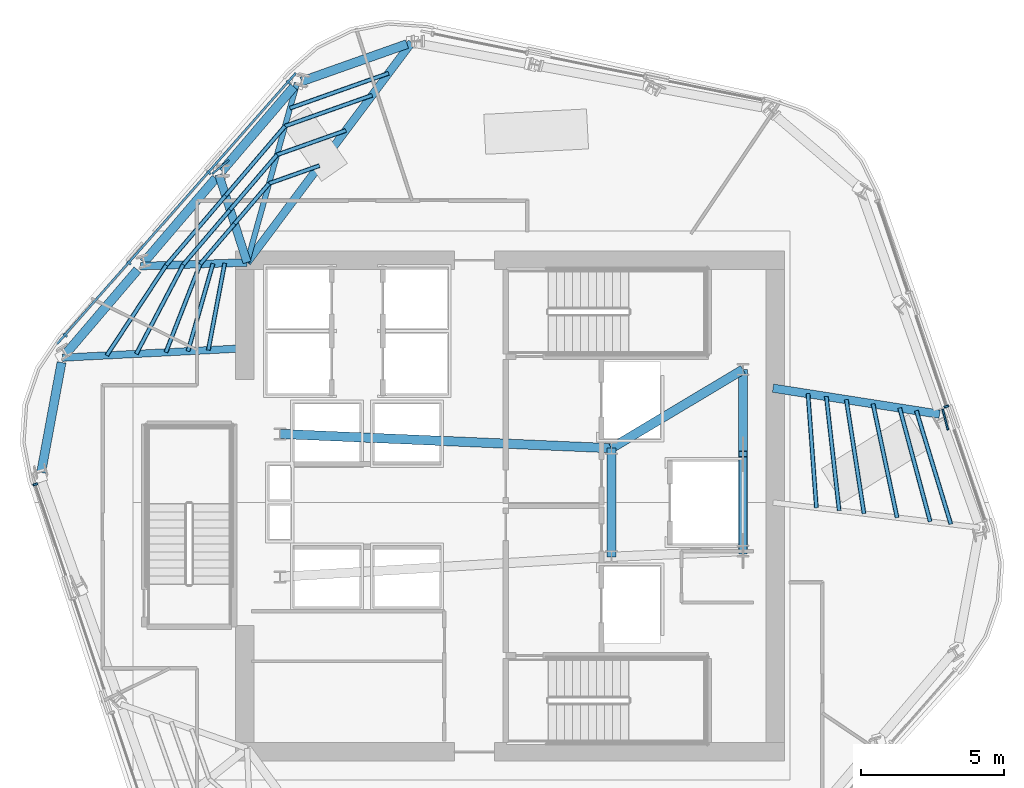
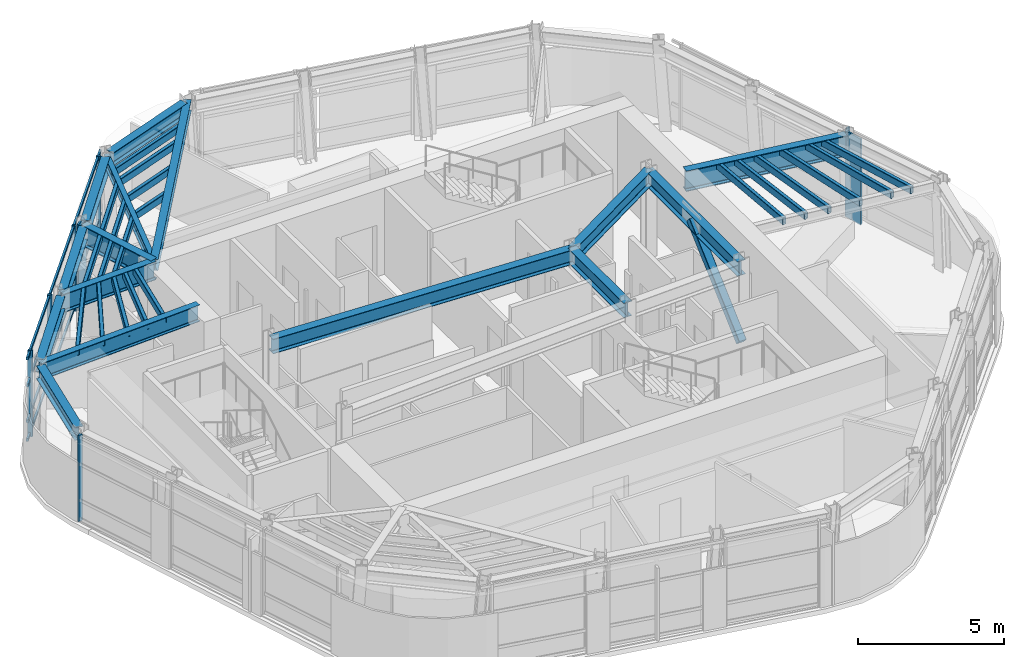
# One storey, part 3 of 12: 34 members, 15 beams, 3 elements without a shape of their own.
"""IFC4 building model written with IfcOpenShell, lengths in metres."""

from ifc_helpers import new_model, si_unit, direction, frame, origin, origin_2d, place, context, subcontext, project, spatial, rectangle, hollow_rectangle, i_section, extrude, material, layer, layer_set, material_profile, profile_set, type_object, element, aggregate, save


model = new_model("IFC4")

# Units and contexts
model_context = context("Model", 3, precision=1e-05, world=origin(), true_north=direction((0.0, 1.0)))
body_context = subcontext(model_context, "Body", "Model", "MODEL_VIEW")
ifc_project = project(units=[si_unit("LENGTHUNIT", "METRE"), si_unit("AREAUNIT", "SQUARE_METRE"), si_unit("VOLUMEUNIT", "CUBIC_METRE"), si_unit("PLANEANGLEUNIT", "RADIAN"), si_unit("MASSUNIT", "GRAM", prefix="KILO")], contexts=[model_context])

# Site, building, storey
site_placement = place(None, origin())
site = spatial("IfcSite", under=ifc_project, at=site_placement, CompositionType="ELEMENT")
building_placement = place(site_placement, origin())
building = spatial("IfcBuilding", under=site, at=building_placement, Name="Valkerne Bourse Tower", CompositionType="ELEMENT")
storey_placement = place(building_placement, frame((0.0, 0.0, 232.199951171875)))
storey = spatial("IfcBuildingStorey", under=building, at=storey_placement, Name="L59", CompositionType="ELEMENT", Elevation=232.199951171875)

# Beams
ifc_material_1 = material(Name="Steel ASTM A992", Category="steel")
ifc_material_profile_1 = material_profile(ifc_material_1, i_section(OverallWidth=0.1904296875, OverallDepth=0.457275390625, WebThickness=0.009033203125, FlangeThickness=0.014404296875, FilletRadius=0.01513671875, at=origin_2d()), Name="W18X50")
ifc_profile_set_1 = profile_set([ifc_material_profile_1], Name="Steel ASTM A992")
beam_type_1 = type_object("IfcBeamType", Name="BM-W18X50", PredefinedType="JOIST", material=ifc_profile_set_1)
beam_1_placement = place(storey_placement, frame((39.345947265625, 41.675048828125, 3.371337890625), z_axis=(-0.26803627856, -0.963408819441, 0.0), x_axis=(0.963408819441, -0.26803627856, 0.0)))
element("IfcBeam", 1, at=beam_1_placement, inside=storey, type_object=beam_type_1, Name="L59 Radial Composite Floor Beam 04", PredefinedType="JOIST", context=body_context, shape_type="SweptSolid", body=[
    extrude(i_section(OverallWidth=0.1904296875, OverallDepth=0.457275390625, WebThickness=0.009033203125, FlangeThickness=0.014404296875, FilletRadius=0.01513671875, at=origin_2d()), origin(), (0.0, 0.0, 1.0), 6.513427734375),
])
ifc_material_profile_2 = material_profile(ifc_material_1, i_section(OverallWidth=0.279296875, OverallDepth=0.46240234375, WebThickness=0.0107421875, FlangeThickness=0.017333984375, FilletRadius=0.017822265625, at=origin_2d()), Name="W18X76")
ifc_profile_set_2 = profile_set([ifc_material_profile_2], Name="Steel ASTM A992")
beam_type_2 = type_object("IfcBeamType", Name="BM-W18X76", PredefinedType="BEAM", material=ifc_profile_set_2)
beam_2_placement = place(storey_placement, frame((43.357421875, 43.095703125, 3.368896484375), z_axis=(-0.599032249543, -0.80072489908, 0.0), x_axis=(0.80072489908, -0.599032249543, 0.0)))
element("IfcBeam", 2, at=beam_2_placement, inside=storey, type_object=beam_type_2, Name="L59 Radial Composite Floor Beam 03", PredefinedType="BEAM", context=body_context, shape_type="SweptSolid", body=[
    extrude(i_section(OverallWidth=0.279296875, OverallDepth=0.46240234375, WebThickness=0.0107421875, FlangeThickness=0.017333984375, FilletRadius=0.017822265625, at=origin_2d()), origin(), (0.0, 0.0, 1.0), 9.611083984375),
])
ifc_material_profile_3 = material_profile(ifc_material_1, i_section(OverallWidth=0.31494140625, OverallDepth=0.5537109375, WebThickness=0.0166015625, FlangeThickness=0.026123046875, FilletRadius=0.020263671875, at=origin_2d()), Name="W21X132")
ifc_profile_set_3 = profile_set([ifc_material_profile_3], Name="Steel ASTM A992")
beam_type_3 = type_object("IfcBeamType", Name="BM-W21X132", PredefinedType="BEAM", material=ifc_profile_set_3)
beam_3_placement = place(storey_placement, frame((43.197265625, 43.038818359375, 3.3232421875), z_axis=(-0.942639896064, -0.333811363419, 0.0), x_axis=(0.333811363419, -0.942639896064, 0.0)))
element("IfcBeam", 3, at=beam_3_placement, inside=storey, type_object=beam_type_3, Name="L59 Hexagonal Spandrel Ring Beam 03", PredefinedType="BEAM", context=body_context, shape_type="SweptSolid", body=[
    extrude(i_section(OverallWidth=0.31494140625, OverallDepth=0.5537109375, WebThickness=0.0166015625, FlangeThickness=0.026123046875, FilletRadius=0.020263671875, at=origin_2d()), origin(), (0.0, 0.0, 1.0), 3.915771484375),
])
beam_4_placement = place(storey_placement, frame((39.235595703125, 41.545654296875, 3.3232421875), z_axis=(-0.649471419242, -0.760386004334, 0.0), x_axis=(0.760386004334, -0.649471419242, 0.0)))
element("IfcBeam", 4, at=beam_4_placement, inside=storey, type_object=beam_type_3, Name="L59 Hexagonal Spandrel Ring Beam 04", PredefinedType="BEAM", context=body_context, shape_type="SweptSolid", body=[
    extrude(i_section(OverallWidth=0.31494140625, OverallDepth=0.5537109375, WebThickness=0.0166015625, FlangeThickness=0.026123046875, FilletRadius=0.020263671875, at=origin_2d()), origin(), (0.0, 0.0, 1.0), 3.871826171875),
])
for number, where, z_axis, x_axis, name in (
    (5, (36.5, 38.343017578125, 3.3232421875), (-0.649440280308, -0.760412600049, 0.0), (0.760412600049, -0.649440280308, 0.0), "L59 Hexagonal Spandrel Ring Beam 05"),
    (6, (33.7646484375, 35.14013671875, 3.3232421875), (-0.649440280308, -0.760412600049, 0.0), (0.760412600049, -0.649440280308, 0.0), "L59 Hexagonal Spandrel Ring Beam 06"),
):
    element("IfcBeam", number, at=place(storey_placement, frame(where, z_axis=z_axis, x_axis=x_axis)), inside=storey, type_object=beam_type_3, Name=name, PredefinedType="BEAM", context=body_context, shape_type="SweptSolid", body=[
        extrude(i_section(OverallWidth=0.31494140625, OverallDepth=0.5537109375, WebThickness=0.0166015625, FlangeThickness=0.026123046875, FilletRadius=0.020263671875, at=origin_2d()), origin(), (0.0, 0.0, 1.0), 3.8720703125),
    ])
beam_5_placement = place(storey_placement, frame((31.108642578125, 31.8994140625, 3.3232421875), z_axis=(-0.182247777863, -0.983252636642, 0.0), x_axis=(0.983252636642, -0.182247777863, 0.0)))
element("IfcBeam", 7, at=beam_5_placement, inside=storey, type_object=beam_type_3, Name="L59 Hexagonal Spandrel Ring Beam 07", PredefinedType="BEAM", context=body_context, shape_type="SweptSolid", body=[
    extrude(i_section(OverallWidth=0.31494140625, OverallDepth=0.5537109375, WebThickness=0.0166015625, FlangeThickness=0.026123046875, FilletRadius=0.020263671875, at=origin_2d()), origin(), (0.0, 0.0, 1.0), 3.915771484375),
])
ifc_material_profile_4 = material_profile(ifc_material_1, i_section(OverallWidth=0.3251953125, OverallDepth=0.612060546875, WebThickness=0.0126953125, FlangeThickness=0.01904296875, FilletRadius=0.020263671875, at=origin_2d()), Name="W24X104")
ifc_profile_set_4 = profile_set([ifc_material_profile_4], Name="Steel ASTM A992")
beam_type_4 = type_object("IfcBeamType", Name="BM-W24X104", PredefinedType="BEAM", material=ifc_profile_set_4)
beam_6_placement = place(storey_placement, frame((50.35009765625, 25.10009765625, 3.2939453125), z_axis=(0.0, 1.0, 0.0), x_axis=(-1.0, 0.0, 0.0)))
element("IfcBeam", 8, at=beam_6_placement, inside=storey, type_object=beam_type_4, Name="L59 Core Frame Girder CG-CE", PredefinedType="BEAM", context=body_context, shape_type="SweptSolid", body=[
    extrude(i_section(OverallWidth=0.3251953125, OverallDepth=0.612060546875, WebThickness=0.0126953125, FlangeThickness=0.01904296875, FilletRadius=0.020263671875, at=origin_2d()), origin(), (0.0, 0.0, 1.0), 3.7998046875),
])
beam_7_placement = place(storey_placement, frame((50.35009765625, 28.89990234375, 3.2939453125), z_axis=(0.858307823492, 0.513135148019, 0.0), x_axis=(-0.513135148019, 0.858307823492, 0.0)))
element("IfcBeam", 9, at=beam_7_placement, inside=storey, type_object=beam_type_4, Name="L59 Core Frame Girder CG-NE", PredefinedType="BEAM", context=body_context, shape_type="SweptSolid", body=[
    extrude(i_section(OverallWidth=0.3251953125, OverallDepth=0.612060546875, WebThickness=0.0126953125, FlangeThickness=0.01904296875, FilletRadius=0.020263671875, at=origin_2d()), origin(), (0.0, 0.0, 1.0), 5.359130859375),
])
beam_8_placement = place(storey_placement, frame((54.949951171875, 25.300048828125, 3.2939453125), z_axis=(0.0, 1.0, 0.0), x_axis=(-1.0, 0.0, 0.0)))
element("IfcBeam", 10, at=beam_8_placement, inside=storey, type_object=beam_type_4, Name="L59 Core Frame Girder CG-EE", PredefinedType="BEAM", context=body_context, shape_type="SweptSolid", body=[
    extrude(i_section(OverallWidth=0.3251953125, OverallDepth=0.612060546875, WebThickness=0.0126953125, FlangeThickness=0.01904296875, FilletRadius=0.020263671875, at=origin_2d()), origin(), (0.0, 0.0, 1.0), 6.349853515625),
])
beam_9_placement = place(storey_placement, frame((38.75, 29.39990234375, 3.2939453125), z_axis=(0.999072354402, -0.043063101019, 0.0), x_axis=(0.043063101019, 0.999072354402, 0.0)))
element("IfcBeam", 11, at=beam_9_placement, inside=storey, type_object=beam_type_4, Name="L59 Core Frame Girder CG-NW", PredefinedType="BEAM", context=body_context, shape_type="SweptSolid", body=[
    extrude(i_section(OverallWidth=0.3251953125, OverallDepth=0.612060546875, WebThickness=0.0126953125, FlangeThickness=0.01904296875, FilletRadius=0.020263671875, at=origin_2d()), origin(), (0.0, 0.0, 1.0), 11.61083984375),
])
ifc_material_profile_5 = material_profile(ifc_material_1, i_section(OverallWidth=0.255859375, OverallDepth=0.693359375, WebThickness=0.014404296875, FlangeThickness=0.023681640625, FilletRadius=0.02294921875, at=origin_2d()), Name="W27X114")
ifc_profile_set_5 = profile_set([ifc_material_profile_5], Name="Steel ASTM A992")
beam_type_5 = type_object("IfcBeamType", Name="BM-W27X114", PredefinedType="BEAM", material=ifc_profile_set_5)
beam_10_placement = place(storey_placement, frame((31.1396484375, 32.066650390625, 3.25341796875), z_axis=(0.998672225455, 0.051514911486, 0.0), x_axis=(-0.051514911486, 0.998672225455, 0.0)))
element("IfcBeam", 12, at=beam_10_placement, inside=storey, type_object=beam_type_5, Name="L59 Radial Composite Floor Beam 07", PredefinedType="BEAM", context=body_context, shape_type="SweptSolid", body=[
    extrude(i_section(OverallWidth=0.255859375, OverallDepth=0.693359375, WebThickness=0.014404296875, FlangeThickness=0.023681640625, FilletRadius=0.02294921875, at=origin_2d()), origin(), (0.0, 0.0, 1.0), 6.468994140625),
])
ifc_material_profile_6 = material_profile(ifc_material_1, i_section(OverallWidth=0.26806640625, OverallDepth=0.76953125, WebThickness=0.015625, FlangeThickness=0.025390625, FilletRadius=0.025390625, at=origin_2d()), Name="W30X132")
ifc_profile_set_6 = profile_set([ifc_material_profile_6], Name="Steel ASTM A992")
beam_type_6 = type_object("IfcBeamType", Name="BM-W30X132", PredefinedType="BEAM", material=ifc_profile_set_6)
beam_11_placement = place(storey_placement, frame((33.875, 35.269287109375, 3.21533203125), z_axis=(0.999385839171, 0.035042038534, 0.0), x_axis=(-0.035042038534, 0.999385839171, 0.0)))
element("IfcBeam", 13, at=beam_11_placement, inside=storey, type_object=beam_type_6, Name="L59 Radial Composite Floor Beam 06", PredefinedType="BEAM", context=body_context, shape_type="SweptSolid", body=[
    extrude(i_section(OverallWidth=0.26806640625, OverallDepth=0.76953125, WebThickness=0.015625, FlangeThickness=0.025390625, FilletRadius=0.025390625, at=origin_2d()), origin(), (0.0, 0.0, 1.0), 3.727294921875),
])
ifc_material_profile_7 = material_profile(ifc_material_1, i_section(OverallWidth=0.2919921875, OverallDepth=0.8583984375, WebThickness=0.01708984375, FlangeThickness=0.031005859375, FilletRadius=0.025390625, at=origin_2d()), Name="W33X169")
ifc_profile_set_7 = profile_set([ifc_material_profile_7], Name="Steel ASTM A992")
beam_type_7 = type_object("IfcBeamType", Name="BM-W33X169", PredefinedType="BEAM", material=ifc_profile_set_7)
beam_12_placement = place(storey_placement, frame((36.610595703125, 38.47216796875, 3.1708984375), z_axis=(0.306567374424, -0.951848961201, 0.0), x_axis=(0.951848961201, 0.306567374424, 0.0)))
element("IfcBeam", 14, at=beam_12_placement, inside=storey, type_object=beam_type_7, Name="L59 Radial Composite Floor Beam 05", PredefinedType="BEAM", context=body_context, shape_type="SweptSolid", body=[
    extrude(i_section(OverallWidth=0.2919921875, OverallDepth=0.8583984375, WebThickness=0.01708984375, FlangeThickness=0.031005859375, FilletRadius=0.025390625, at=origin_2d()), origin(), (0.0, 0.0, 1.0), 3.227783203125),
])
beam_13_placement = place(storey_placement, frame((61.830078125, 30.088134765625, 3.1708984375), z_axis=(-0.987988357865, 0.154528329842, 0.0), x_axis=(-0.154528329842, -0.987988357865, 0.0)))
element("IfcBeam", 15, at=beam_13_placement, inside=storey, type_object=beam_type_7, Name="L59 Radial Composite Floor Beam 21", PredefinedType="BEAM", context=body_context, shape_type="SweptSolid", body=[
    extrude(i_section(OverallWidth=0.2919921875, OverallDepth=0.8583984375, WebThickness=0.01708984375, FlangeThickness=0.031005859375, FilletRadius=0.025390625, at=origin_2d()), origin(), (0.0, 0.0, 1.0), 5.90087890625),
])

# Curtain wall, members
ifc_material_2 = material(Name="Aluminium AA 6063-T6", Category="aluminium")
ifc_layer = layer(ifc_material_2, 0.239990234375)
ifc_layer_set = layer_set([ifc_layer], Name="Aluminium AA 6063-T6")
curtain_wall_type = type_object("IfcCurtainWallType", Name="CW-04", PredefinedType="NOTDEFINED", material=ifc_layer_set)
curtain_wall_1_placement = place(storey_placement, origin())
curtain_wall_1 = element("IfcCurtainWall", 16, at=curtain_wall_1_placement, inside=storey, type_object=curtain_wall_type, Name="L59 Hexagonal Stick Curtain Wall Face 2", PredefinedType="NOTDEFINED")
ifc_material_profile_8 = material_profile(ifc_material_2, rectangle(XDim=0.074951171875, YDim=0.159912109375, at=origin_2d()), Name="CWM-75X160")
ifc_profile_set_8 = profile_set([ifc_material_profile_8], Name="Aluminium AA 6063-T6")
member_type_1 = type_object("IfcMemberType", Name="CW-MUL-160X75", PredefinedType="MULLION", material=ifc_profile_set_8)
member_1_placement = place(storey_placement, frame((39.044677734375, 41.7001953125, 0.0), z_axis=(0.0, 0.0, 1.0), x_axis=(-0.661301987513, -0.750119777976, 0.0)))
member_1 = element("IfcMember", 17, at=member_1_placement, type_object=member_type_1, Name="CW-L59-F2 Jamb Mullion 00A", PredefinedType="MULLION", context=body_context, shape_type="SweptSolid", body=[
    extrude(rectangle(XDim=0.074951171875, YDim=0.159912109375, at=origin_2d()), origin(), (0.0, 0.0, 1.0), 3.60009765625),
])
member_2_placement = place(storey_placement, frame((36.25927734375, 38.54052734375, 0.0), z_axis=(0.0, 0.0, 1.0), x_axis=(-0.6613271234, -0.750097617551, 0.0)))
member_2 = element("IfcMember", 18, at=member_2_placement, type_object=member_type_1, Name="CW-L59-F2 Jamb Mullion 01A", PredefinedType="MULLION", context=body_context, shape_type="SweptSolid", body=[
    extrude(rectangle(XDim=0.074951171875, YDim=0.159912109375, at=origin_2d()), origin(), (0.0, 0.0, 1.0), 3.60009765625),
])
member_3_placement = place(storey_placement, frame((33.4736328125, 35.381103515625, 0.0), z_axis=(0.0, 0.0, 1.0), x_axis=(-0.661301987513, -0.750119777976, 0.0)))
member_3 = element("IfcMember", 19, at=member_3_placement, type_object=member_type_1, Name="CW-L59-F2 Jamb Mullion 02A", PredefinedType="MULLION", context=body_context, shape_type="SweptSolid", body=[
    extrude(rectangle(XDim=0.074951171875, YDim=0.159912109375, at=origin_2d()), origin(), (0.0, 0.0, 1.0), 3.60009765625),
])
member_4_placement = place(storey_placement, frame((31.243896484375, 32.851806640625, 0.0), z_axis=(0.0, 0.0, 1.0), x_axis=(-0.661301987513, -0.750119777976, 0.0)))
member_4 = element("IfcMember", 20, at=member_4_placement, type_object=member_type_1, Name="CW-L59-F2 Jamb Mullion 02B", PredefinedType="MULLION", context=body_context, shape_type="SweptSolid", body=[
    extrude(rectangle(XDim=0.074951171875, YDim=0.159912109375, at=origin_2d()), origin(), (0.0, 0.0, 1.0), 3.60009765625),
])

# Curtain wall, member
curtain_wall_2_placement = place(storey_placement, origin())
curtain_wall_2 = element("IfcCurtainWall", 21, at=curtain_wall_2_placement, inside=storey, type_object=curtain_wall_type, Name="L59 Hexagonal Stick Curtain Wall Face 3", PredefinedType="NOTDEFINED")
member_5_placement = place(storey_placement, frame((30.191650390625, 27.6337890625, 0.0), z_axis=(0.0, 0.0, 1.0), x_axis=(0.318968601555, -0.947765282769, 0.0)))
member_5 = element("IfcMember", 22, at=member_5_placement, type_object=member_type_1, Name="CW-L59-F3 Jamb Mullion 00A", PredefinedType="MULLION", context=body_context, shape_type="SweptSolid", body=[
    extrude(rectangle(XDim=0.074951171875, YDim=0.159912109375, at=origin_2d()), origin(), (0.0, 0.0, 1.0), 3.60009765625),
])
aggregate(curtain_wall_2, [member_5])

curtain_wall_3_placement = place(storey_placement, origin())
curtain_wall_3 = element("IfcCurtainWall", 23, at=curtain_wall_3_placement, inside=storey, type_object=curtain_wall_type, Name="L59 Hexagonal Stick Curtain Wall Face 6", PredefinedType="NOTDEFINED")
member_6_placement = place(storey_placement, frame((62.06494140625, 30.3583984375, 0.0), z_axis=(0.0, 0.0, 1.0), x_axis=(-0.318947275184, 0.947772459851, 0.0)))
member_6 = element("IfcMember", 24, at=member_6_placement, type_object=member_type_1, Name="CW-L59-F6 Jamb Mullion 01A", PredefinedType="MULLION", context=body_context, shape_type="SweptSolid", body=[
    extrude(rectangle(XDim=0.074951171875, YDim=0.159912109375, at=origin_2d()), origin(), (0.0, 0.0, 1.0), 3.60009765625),
])
aggregate(curtain_wall_3, [member_6])

# Member
ifc_material_profile_9 = material_profile(ifc_material_2, rectangle(XDim=0.074951171875, YDim=0.1201171875, at=origin_2d()), Name="CWT-75X120")
ifc_profile_set_9 = profile_set([ifc_material_profile_9], Name="Aluminium AA 6063-T6")
member_type_2 = type_object("IfcMemberType", Name="CW-TRN-120X75", PredefinedType="USERDEFINED", material=ifc_profile_set_9)
member_7_placement = place(storey_placement, frame((39.307373046875, 42.0283203125, 0.1201171875), z_axis=(-0.661311010703, -0.750111823079, 0.0), x_axis=(0.750111823079, -0.661311010703, 0.0)))
member_7 = element("IfcMember", 25, at=member_7_placement, type_object=member_type_2, Name="CW-L59-F2 Continuous Face Transom 1", ObjectType="TRANSOM", PredefinedType="USERDEFINED", context=body_context, shape_type="SweptSolid", body=[
    extrude(rectangle(XDim=0.074951171875, YDim=0.1201171875, at=origin_2d()), origin(), (0.0, 0.0, 1.0), 12.6357421875),
])

member_8_placement = place(storey_placement, frame((39.307373046875, 42.0283203125, 0.900146484375), z_axis=(-0.661311010703, -0.750111823079, 0.0), x_axis=(0.750111823079, -0.661311010703, 0.0)))
member_8 = element("IfcMember", 26, at=member_8_placement, type_object=member_type_2, Name="CW-L59-F2 Continuous Face Transom 2", ObjectType="TRANSOM", PredefinedType="USERDEFINED", context=body_context, shape_type="SweptSolid", body=[
    extrude(rectangle(XDim=0.074951171875, YDim=0.1201171875, at=origin_2d()), origin(), (0.0, 0.0, 1.0), 12.6357421875),
])

member_9_placement = place(storey_placement, frame((39.307373046875, 42.0283203125, 2.400146484375), z_axis=(-0.661311010703, -0.750111823079, 0.0), x_axis=(0.750111823079, -0.661311010703, 0.0)))
member_9 = element("IfcMember", 27, at=member_9_placement, type_object=member_type_2, Name="CW-L59-F2 Continuous Face Transom 3", ObjectType="TRANSOM", PredefinedType="USERDEFINED", context=body_context, shape_type="SweptSolid", body=[
    extrude(rectangle(XDim=0.074951171875, YDim=0.1201171875, at=origin_2d()), origin(), (0.0, 0.0, 1.0), 12.6357421875),
])

member_10_placement = place(storey_placement, frame((39.307373046875, 42.0283203125, 3.52001953125), z_axis=(-0.661311010703, -0.750111823079, 0.0), x_axis=(0.750111823079, -0.661311010703, 0.0)))
member_10 = element("IfcMember", 28, at=member_10_placement, type_object=member_type_2, Name="CW-L59-F2 Continuous Face Transom 4", ObjectType="TRANSOM", PredefinedType="USERDEFINED", context=body_context, shape_type="SweptSolid", body=[
    extrude(rectangle(XDim=0.074951171875, YDim=0.1201171875, at=origin_2d()), origin(), (0.0, 0.0, 1.0), 12.6357421875),
])

aggregate(curtain_wall_1, [member_7, member_8, member_9, member_10, member_1, member_2, member_3, member_4])

# Members
ifc_material_3 = material(Name="Bronze Anodised Aluminium AA 6063-T6", Category="aluminium")
ifc_material_profile_10 = material_profile(ifc_material_3, rectangle(XDim=0.06494140625, YDim=0.75, at=origin_2d()), Name="FIN-65X750")
ifc_profile_set_10 = profile_set([ifc_material_profile_10], Name="Bronze Anodised Aluminium AA 6063-T6")
member_type_3 = type_object("IfcMemberType", Name="FIN-SOLAR-650", PredefinedType="USERDEFINED", material=ifc_profile_set_10)
for number, where, z_axis, x_axis, name in (
    (29, (36.672119140625, 38.736572265625, 0.004150390625), (0.0, 0.0, 1.0), (-0.630249515745, 0.776392650599, 0.0), "L59 Bronze Anodised Solar Fin F2-01"),
    (30, (62.0283203125, 29.90283203125, 0.004150390625), (0.0, 0.0, 1.0), (0.96822242018, 0.250090673678, 0.0), "L59 Bronze Anodised Solar Fin F6-01"),
):
    element("IfcMember", number, at=place(storey_placement, frame(where, z_axis=z_axis, x_axis=x_axis)), inside=storey, type_object=member_type_3, Name=name, ObjectType="SOLAR_FIN", PredefinedType="USERDEFINED", context=body_context, shape_type="SweptSolid", body=[
        extrude(rectangle(XDim=0.06494140625, YDim=0.75, at=origin_2d()), origin(), (0.0, 0.0, 1.0), 3.591796875),
    ])
ifc_material_4 = material(Name="Steel ASTM A500 Grade C", Category="steel")
ifc_material_profile_11 = material_profile(ifc_material_4, hollow_rectangle(XDim=0.14990234375, YDim=0.300048828125, WallThickness=0.012451171875, OuterFilletRadius=0.02490234375, at=origin_2d()), Name="HSS300X150X12.5")
ifc_profile_set_11 = profile_set([ifc_material_profile_11], Name="Steel ASTM A500 Grade C")
member_type_4 = type_object("IfcMemberType", Name="MBR-HSS300X150X12.5", PredefinedType="PURLIN", material=ifc_profile_set_11)
member_11_placement = place(storey_placement, frame((36.407958984375, 35.358154296875, 3.43994140625), z_axis=(-0.274589614815, -0.961561513079, 0.0), x_axis=(0.961561513079, -0.274589614815, 0.0)))
element("IfcMember", 31, at=member_11_placement, inside=storey, type_object=member_type_4, Name="L59 Secondary Composite Floor Purlin I-06", PredefinedType="PURLIN", context=body_context, shape_type="SweptSolid", body=[
    extrude(hollow_rectangle(XDim=0.14990234375, YDim=0.300048828125, WallThickness=0.012451171875, OuterFilletRadius=0.02490234375, at=origin_2d()), origin(), (0.0, 0.0, 1.0), 3.1875),
])
member_12_placement = place(storey_placement, frame((58.3154296875, 26.7177734375, 3.43994140625), z_axis=(-0.112046169013, 0.993703001912, 0.0), x_axis=(-0.993703001912, -0.112046169013, 0.0)))
element("IfcMember", 32, at=member_12_placement, inside=storey, type_object=member_type_4, Name="L59 Secondary Composite Floor Purlin I-20", PredefinedType="PURLIN", context=body_context, shape_type="SweptSolid", body=[
    extrude(hollow_rectangle(XDim=0.14990234375, YDim=0.300048828125, WallThickness=0.012451171875, OuterFilletRadius=0.02490234375, at=origin_2d()), origin(), (0.0, 0.0, 1.0), 4.015869140625),
])
member_13_placement = place(storey_placement, frame((40.13330078125, 38.7861328125, 3.43994140625), z_axis=(-0.942611838593, -0.333890583491, 0.0), x_axis=(0.333890583491, -0.942611838593, 0.0)))
element("IfcMember", 33, at=member_13_placement, inside=storey, type_object=member_type_4, Name="L59 Secondary Composite Floor Purlin K-03", PredefinedType="PURLIN", context=body_context, shape_type="SweptSolid", body=[
    extrude(hollow_rectangle(XDim=0.14990234375, YDim=0.300048828125, WallThickness=0.012451171875, OuterFilletRadius=0.02490234375, at=origin_2d()), origin(), (0.0, 0.0, 1.0), 1.87255859375),
])
for number, where, z_axis, x_axis, name in (
    (34, (38.3681640625, 38.160888671875, 3.43994140625), (-0.649466808286, -0.760389942683, 0.0), (0.760389942683, -0.649466808286, 0.0), "L59 Secondary Composite Floor Purlin K-04"),
    (35, (37.16455078125, 36.751708984375, 3.43994140625), (-0.649466808286, -0.760389942683, 0.0), (0.760389942683, -0.649466808286, 0.0), "L59 Secondary Composite Floor Purlin K-05"),
):
    element("IfcMember", number, at=place(storey_placement, frame(where, z_axis=z_axis, x_axis=x_axis)), inside=storey, type_object=member_type_4, Name=name, PredefinedType="PURLIN", context=body_context, shape_type="SweptSolid", body=[
        extrude(hollow_rectangle(XDim=0.14990234375, YDim=0.300048828125, WallThickness=0.012451171875, OuterFilletRadius=0.02490234375, at=origin_2d()), origin(), (0.0, 0.0, 1.0), 1.853271484375),
    ])
member_14_placement = place(storey_placement, frame((35.9609375, 35.342529296875, 3.43994140625), z_axis=(-0.363046759208, -0.931770921755, 0.0), x_axis=(0.931770921755, -0.363046759208, 0.0)))
element("IfcMember", 36, at=member_14_placement, inside=storey, type_object=member_type_4, Name="L59 Secondary Composite Floor Purlin K-06", PredefinedType="PURLIN", context=body_context, shape_type="SweptSolid", body=[
    extrude(hollow_rectangle(XDim=0.14990234375, YDim=0.300048828125, WallThickness=0.012451171875, OuterFilletRadius=0.02490234375, at=origin_2d()), origin(), (0.0, 0.0, 1.0), 3.3154296875),
])
member_15_placement = place(storey_placement, frame((59.183837890625, 26.61181640625, 3.43994140625), z_axis=(-0.153330198705, 0.988175009887, 0.0), x_axis=(-0.988175009887, -0.153330198705, 0.0)))
element("IfcMember", 37, at=member_15_placement, inside=storey, type_object=member_type_4, Name="L59 Secondary Composite Floor Purlin K-20", PredefinedType="PURLIN", context=body_context, shape_type="SweptSolid", body=[
    extrude(hollow_rectangle(XDim=0.14990234375, YDim=0.300048828125, WallThickness=0.012451171875, OuterFilletRadius=0.02490234375, at=origin_2d()), origin(), (0.0, 0.0, 1.0), 4.03466796875),
])
member_16_placement = place(storey_placement, frame((41.9755859375, 41.248779296875, 3.43994140625), z_axis=(-0.942614851868, -0.333882076545, 0.0), x_axis=(0.333882076545, -0.942614851868, 0.0)))
element("IfcMember", 38, at=member_16_placement, inside=storey, type_object=member_type_4, Name="L59 Secondary Composite Floor Purlin O-03", PredefinedType="PURLIN", context=body_context, shape_type="SweptSolid", body=[
    extrude(hollow_rectangle(XDim=0.14990234375, YDim=0.300048828125, WallThickness=0.012451171875, OuterFilletRadius=0.02490234375, at=origin_2d()), origin(), (0.0, 0.0, 1.0), 3.234130859375),
])
member_17_placement = place(storey_placement, frame((38.927001953125, 40.1689453125, 3.43994140625), z_axis=(-0.64948401284, -0.760375247536, 0.0), x_axis=(0.760375247536, -0.64948401284, 0.0)))
element("IfcMember", 39, at=member_17_placement, inside=storey, type_object=member_type_4, Name="L59 Secondary Composite Floor Purlin O-04", PredefinedType="PURLIN", context=body_context, shape_type="SweptSolid", body=[
    extrude(hollow_rectangle(XDim=0.14990234375, YDim=0.300048828125, WallThickness=0.012451171875, OuterFilletRadius=0.02490234375, at=origin_2d()), origin(), (0.0, 0.0, 1.0), 3.201171875),
])
member_18_placement = place(storey_placement, frame((36.847900390625, 37.73486328125, 3.43994140625), z_axis=(-0.649439914624, -0.760412912366, 0.0), x_axis=(0.760412912366, -0.649439914624, 0.0)))
element("IfcMember", 40, at=member_18_placement, inside=storey, type_object=member_type_4, Name="L59 Secondary Composite Floor Purlin O-05", PredefinedType="PURLIN", context=body_context, shape_type="SweptSolid", body=[
    extrude(hollow_rectangle(XDim=0.14990234375, YDim=0.300048828125, WallThickness=0.012451171875, OuterFilletRadius=0.02490234375, at=origin_2d()), origin(), (0.0, 0.0, 1.0), 3.200927734375),
])
member_19_placement = place(storey_placement, frame((34.76904296875, 35.30078125, 3.43994140625), z_axis=(-0.550292882625, -0.834971702115, 0.0), x_axis=(0.834971702115, -0.550292882625, 0.0)))
element("IfcMember", 41, at=member_19_placement, inside=storey, type_object=member_type_4, Name="L59 Secondary Composite Floor Purlin O-06", PredefinedType="PURLIN", context=body_context, shape_type="SweptSolid", body=[
    extrude(hollow_rectangle(XDim=0.14990234375, YDim=0.300048828125, WallThickness=0.012451171875, OuterFilletRadius=0.02490234375, at=origin_2d()), origin(), (0.0, 0.0, 1.0), 3.77783203125),
])
member_20_placement = place(storey_placement, frame((61.49951171875, 26.32958984375, 3.43994140625), z_axis=(-0.259473841173, 0.965750136291, 0.0), x_axis=(-0.965750136291, -0.259473841173, 0.0)))
element("IfcMember", 42, at=member_20_placement, inside=storey, type_object=member_type_4, Name="L59 Secondary Composite Floor Purlin O-20", PredefinedType="PURLIN", context=body_context, shape_type="SweptSolid", body=[
    extrude(hollow_rectangle(XDim=0.14990234375, YDim=0.300048828125, WallThickness=0.012451171875, OuterFilletRadius=0.02490234375, at=origin_2d()), origin(), (0.0, 0.0, 1.0), 4.118408203125),
])
member_21_placement = place(storey_placement, frame((41.054443359375, 40.017333984375, 3.43994140625), z_axis=(-0.94263850894, -0.333815280453, 0.0), x_axis=(0.333815280453, -0.94263850894, 0.0)))
element("IfcMember", 43, at=member_21_placement, inside=storey, type_object=member_type_4, Name="L59 Secondary Composite Floor Purlin Z-03", PredefinedType="PURLIN", context=body_context, shape_type="SweptSolid", body=[
    extrude(hollow_rectangle(XDim=0.14990234375, YDim=0.300048828125, WallThickness=0.012451171875, OuterFilletRadius=0.02490234375, at=origin_2d()), origin(), (0.0, 0.0, 1.0), 2.55322265625),
])
member_22_placement = place(storey_placement, frame((38.647705078125, 39.1650390625, 3.43994140625), z_axis=(-0.649477704692, -0.760380635674, 0.0), x_axis=(0.760380635674, -0.649477704692, 0.0)))
element("IfcMember", 44, at=member_22_placement, inside=storey, type_object=member_type_4, Name="L59 Secondary Composite Floor Purlin Z-04", PredefinedType="PURLIN", context=body_context, shape_type="SweptSolid", body=[
    extrude(hollow_rectangle(XDim=0.14990234375, YDim=0.300048828125, WallThickness=0.012451171875, OuterFilletRadius=0.02490234375, at=origin_2d()), origin(), (0.0, 0.0, 1.0), 2.527099609375),
])
member_23_placement = place(storey_placement, frame((37.00634765625, 37.243408203125, 3.43994140625), z_axis=(-0.649429998345, -0.760421381373, 0.0), x_axis=(0.760421381373, -0.649429998345, 0.0)))
element("IfcMember", 45, at=member_23_placement, inside=storey, type_object=member_type_4, Name="L59 Secondary Composite Floor Purlin Z-05", PredefinedType="PURLIN", context=body_context, shape_type="SweptSolid", body=[
    extrude(hollow_rectangle(XDim=0.14990234375, YDim=0.300048828125, WallThickness=0.012451171875, OuterFilletRadius=0.02490234375, at=origin_2d()), origin(), (0.0, 0.0, 1.0), 2.52734375),
])
member_24_placement = place(storey_placement, frame((35.364990234375, 35.321533203125, 3.43994140625), z_axis=(-0.465341235691, -0.885131365598, 0.0), x_axis=(0.885131365598, -0.465341235691, 0.0)))
element("IfcMember", 46, at=member_24_placement, inside=storey, type_object=member_type_4, Name="L59 Secondary Composite Floor Purlin Z-06", PredefinedType="PURLIN", context=body_context, shape_type="SweptSolid", body=[
    extrude(hollow_rectangle(XDim=0.14990234375, YDim=0.300048828125, WallThickness=0.012451171875, OuterFilletRadius=0.02490234375, at=origin_2d()), origin(), (0.0, 0.0, 1.0), 3.526611328125),
])
member_25_placement = place(storey_placement, frame((60.341552734375, 26.470703125, 3.43994140625), z_axis=(-0.207222442285, 0.97829385126, 0.0), x_axis=(-0.97829385126, -0.207222442285, 0.0)))
element("IfcMember", 47, at=member_25_placement, inside=storey, type_object=member_type_4, Name="L59 Secondary Composite Floor Purlin Z-20", PredefinedType="PURLIN", context=body_context, shape_type="SweptSolid", body=[
    extrude(hollow_rectangle(XDim=0.14990234375, YDim=0.300048828125, WallThickness=0.012451171875, OuterFilletRadius=0.02490234375, at=origin_2d()), origin(), (0.0, 0.0, 1.0), 4.070556640625),
])
member_26_placement = place(storey_placement, frame((36.81787109375, 35.37255859375, 3.43994140625), z_axis=(-0.185535715583, -0.982637521288, 0.0), x_axis=(0.982637521288, -0.185535715583, 0.0)))
element("IfcMember", 48, at=member_26_placement, inside=storey, type_object=member_type_4, Name="L59 Secondary Composite Floor Purlin S-06", PredefinedType="PURLIN", context=body_context, shape_type="SweptSolid", body=[
    extrude(hollow_rectangle(XDim=0.14990234375, YDim=0.300048828125, WallThickness=0.012451171875, OuterFilletRadius=0.02490234375, at=origin_2d()), origin(), (0.0, 0.0, 1.0), 3.09619140625),
])
member_27_placement = place(storey_placement, frame((57.51953125, 26.814697265625, 3.43994140625), z_axis=(-0.073703269177, 0.997280215442, 0.0), x_axis=(-0.997280215442, -0.073703269177, 0.0)))
element("IfcMember", 49, at=member_27_placement, inside=storey, type_object=member_type_4, Name="L59 Secondary Composite Floor Purlin S-20", PredefinedType="PURLIN", context=body_context, shape_type="SweptSolid", body=[
    extrude(hollow_rectangle(XDim=0.14990234375, YDim=0.300048828125, WallThickness=0.012451171875, OuterFilletRadius=0.02490234375, at=origin_2d()), origin(), (0.0, 0.0, 1.0), 4.0048828125),
])
member_28_placement = place(storey_placement, frame((42.551513671875, 42.018310546875, 3.43994140625), z_axis=(-0.942621539714, -0.333863194839, 0.0), x_axis=(0.333863194839, -0.942621539714, 0.0)))
element("IfcMember", 50, at=member_28_placement, inside=storey, type_object=member_type_4, Name="L59 Secondary Composite Floor Purlin T-03", PredefinedType="PURLIN", context=body_context, shape_type="SweptSolid", body=[
    extrude(hollow_rectangle(XDim=0.14990234375, YDim=0.300048828125, WallThickness=0.012451171875, OuterFilletRadius=0.02490234375, at=origin_2d()), origin(), (0.0, 0.0, 1.0), 3.659912109375),
])
member_29_placement = place(storey_placement, frame((62.222900390625, 26.2412109375, 3.43994140625), z_axis=(-0.291011950697, 0.956719417881, 0.0), x_axis=(-0.956719417881, -0.291011950697, 0.0)))
element("IfcMember", 51, at=member_29_placement, inside=storey, type_object=member_type_4, Name="L59 Secondary Composite Floor Purlin T-20", PredefinedType="PURLIN", context=body_context, shape_type="SweptSolid", body=[
    extrude(hollow_rectangle(XDim=0.14990234375, YDim=0.300048828125, WallThickness=0.012451171875, OuterFilletRadius=0.02490234375, at=origin_2d()), origin(), (0.0, 0.0, 1.0), 4.154296875),
])
ifc_material_profile_12 = material_profile(ifc_material_4, hollow_rectangle(XDim=0.300048828125, YDim=0.300048828125, WallThickness=0.012451171875, OuterFilletRadius=0.02490234375, at=origin_2d()), Name="HSS300X300X12.5")
ifc_profile_set_12 = profile_set([ifc_material_profile_12], Name="Steel ASTM A500 Grade C")
member_type_5 = type_object("IfcMemberType", Name="MBR-HSS300X300X12.5", PredefinedType="STRUT", material=ifc_profile_set_12)
member_30_placement = place(storey_placement, frame((54.949951171875, 25.300048828125, 0.219970703125), z_axis=(0.0, 0.741766660352, 0.670658051163), x_axis=(-1.0, 0.0, 0.0)))
element("IfcMember", 52, at=member_30_placement, inside=storey, type_object=member_type_5, Name="L59 Core Service Pier Lateral Brace", PredefinedType="STRUT", context=body_context, shape_type="SweptSolid", body=[
    extrude(hollow_rectangle(XDim=0.300048828125, YDim=0.300048828125, WallThickness=0.012451171875, OuterFilletRadius=0.02490234375, at=origin_2d()), origin(), (0.0, 0.0, 1.0), 4.58349609375),
])

save(model, "model.ifc")
